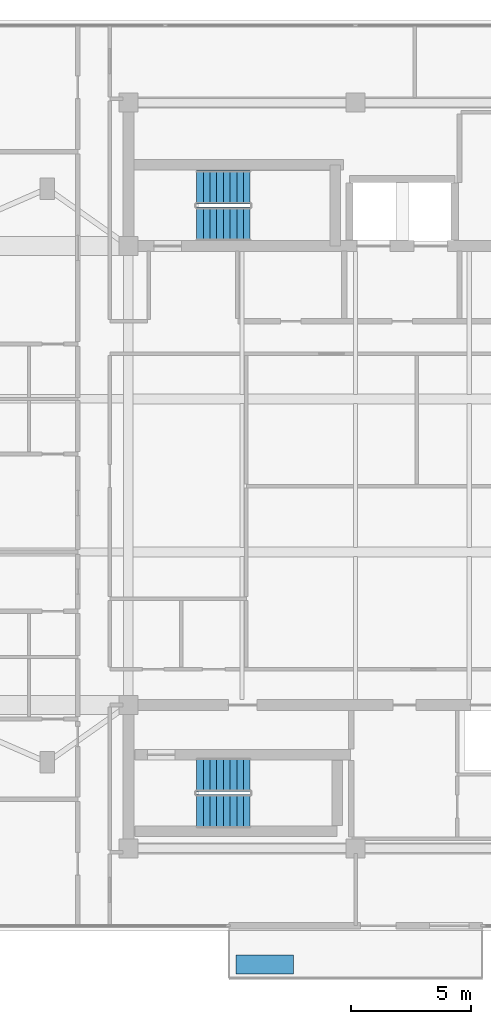
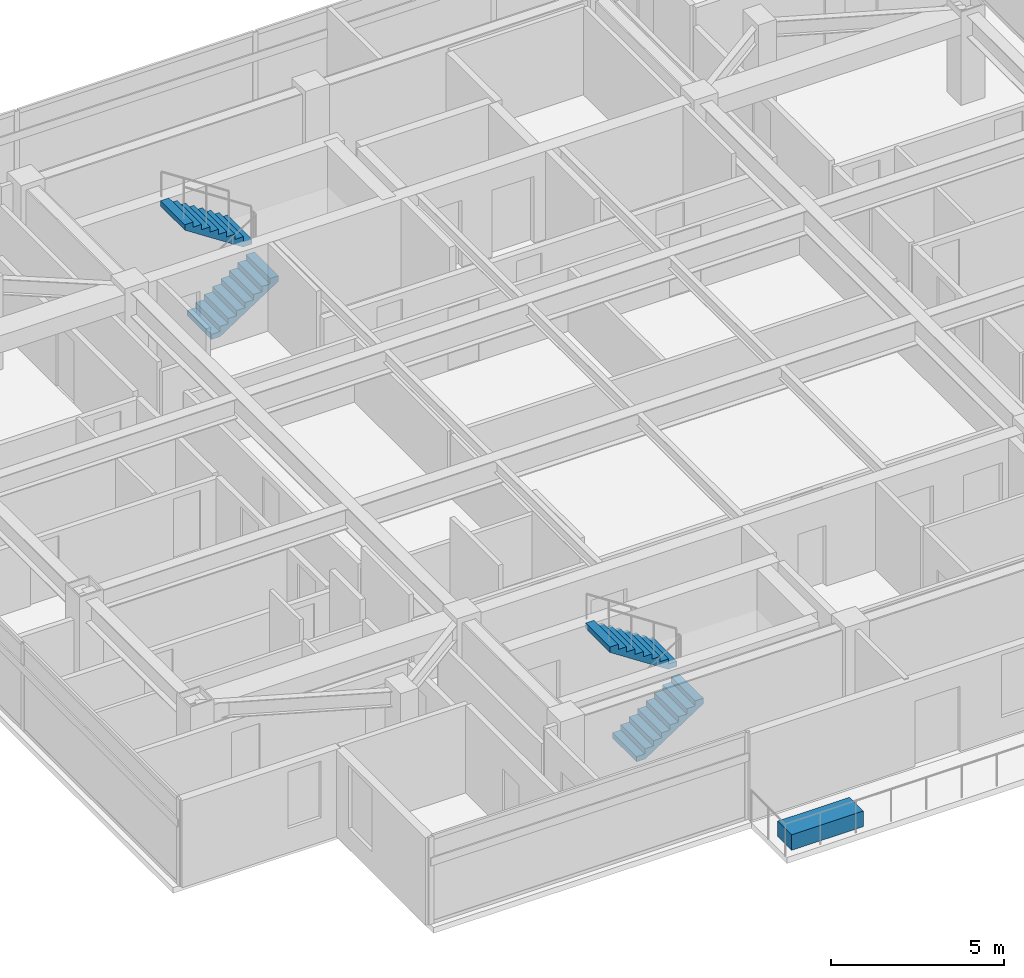
# One storey, part 11 of 14: 4 stair flights, 1 discrete accessory, 2 elements without a shape of their own.
"""IFC4 building model written with IfcOpenShell, lengths in metres."""

from ifc_helpers import new_model, si_unit, direction, frame, origin, origin_2d, place, context, subcontext, project, spatial, polyline, rectangle, outline, extrude, material, type_object, element, aggregate, save


model = new_model("IFC4")

# Units and contexts
model_context = context("Model", 3, precision=1e-05, world=origin(), true_north=direction((0.0, 1.0)))
body_context = subcontext(model_context, "Body", "Model", "MODEL_VIEW")
ifc_project = project(units=[si_unit("LENGTHUNIT", "METRE"), si_unit("AREAUNIT", "SQUARE_METRE"), si_unit("VOLUMEUNIT", "CUBIC_METRE"), si_unit("PLANEANGLEUNIT", "RADIAN"), si_unit("MASSUNIT", "GRAM", prefix="KILO")], contexts=[model_context])

# Site, building, storey
site_placement = place(None, origin())
site = spatial("IfcSite", under=ifc_project, at=site_placement, CompositionType="ELEMENT")
building_placement = place(site_placement, origin())
building = spatial("IfcBuilding", under=site, at=building_placement, Name="Mirazonda Arch Towers", CompositionType="ELEMENT")
storey_placement = place(building_placement, frame((0.0, 0.0, 232.60009765625)))
storey = spatial("IfcBuildingStorey", under=building, at=storey_placement, Name="L66", CompositionType="ELEMENT", Elevation=232.60009765625)

# Stair, stair flights
ifc_material_1 = material(Name="Concrete C40/50", Category="concrete")
stair_type = type_object("IfcStairType", Name="STAIR-CORE-1400", PredefinedType="HALF_TURN_STAIR", material=ifc_material_1)
stair_1_placement = place(storey_placement, origin())
stair_1 = element("IfcStair", 1, at=stair_1_placement, inside=storey, type_object=stair_type, Name="L66 Protected Exit Stair ST-T1N", PredefinedType="HALF_TURN_STAIR")
stair_flight_type = type_object("IfcStairFlightType", Name="FLIGHT-1400", PredefinedType="STRAIGHT", material=ifc_material_1)
stair_flight_1_placement = place(storey_placement, frame((13.85009765625, 38.52001953125, 0.0), z_axis=(0.0, 0.0, 1.0), x_axis=(1.0, 0.0, 0.0)))
stair_flight_1 = element("IfcStairFlight", 2, at=stair_flight_1_placement, type_object=stair_flight_type, Name="ST-T1N flight 1", NumberOfRisers=9, NumberOfTreads=8, PredefinedType="STRAIGHT", RiserHeight=0.183333333, TreadLength=0.28, context=body_context, shape_type="SweptSolid", body=[
    extrude(outline(polyline([(0.0, 0.0), (0.0, 0.183349609375), (0.280029296875, 0.183349609375), (0.280029296875, 0.36669921875), (0.56005859375, 0.36669921875), (0.56005859375, 0.550048828125), (0.840087890625, 0.550048828125), (0.840087890625, 0.7333984375), (1.1201171875, 0.7333984375), (1.1201171875, 0.916748046875), (1.39990234375, 0.916748046875), (1.39990234375, 1.10009765625), (1.679931640625, 1.10009765625), (1.679931640625, 1.283447265625), (1.9599609375, 1.283447265625), (1.9599609375, 1.466552734375), (2.239990234375, 1.466552734375), (2.239990234375, 1.64990234375), (2.239990234375, 1.275634765625), (0.2919921875, 0.0), (0.0, 0.0)])), frame((0.0, 0.699951171875, 0.0), z_axis=(0.0, -1.0, 0.0), x_axis=(1.0, 0.0, 0.0)), (0.0, 0.0, 1.0), 1.39990234375),
])
stair_flight_2_placement = place(storey_placement, frame((16.090087890625, 40.06005859375, 1.64990234375), z_axis=(0.0, 0.0, 1.0), x_axis=(-1.0, 0.0, 0.0)))
stair_flight_2 = element("IfcStairFlight", 3, at=stair_flight_2_placement, type_object=stair_flight_type, Name="ST-T1N flight 2", NumberOfRisers=9, NumberOfTreads=8, PredefinedType="STRAIGHT", RiserHeight=0.183333333, TreadLength=0.28, context=body_context, shape_type="SweptSolid", body=[
    extrude(outline(polyline([(0.0, 0.0), (0.0, 0.183349609375), (0.280029296875, 0.183349609375), (0.280029296875, 0.36669921875), (0.56005859375, 0.36669921875), (0.56005859375, 0.550048828125), (0.840087890625, 0.550048828125), (0.840087890625, 0.7333984375), (1.1201171875, 0.7333984375), (1.1201171875, 0.916748046875), (1.39990234375, 0.916748046875), (1.39990234375, 1.10009765625), (1.679931640625, 1.10009765625), (1.679931640625, 1.283447265625), (1.9599609375, 1.283447265625), (1.9599609375, 1.466552734375), (2.239990234375, 1.466552734375), (2.239990234375, 1.64990234375), (2.239990234375, 1.275634765625), (0.2919921875, 0.0), (0.0, 0.0)])), frame((0.0, 0.699951171875, 0.0), z_axis=(0.0, -1.0, 0.0), x_axis=(1.0, 0.0, 0.0)), (0.0, 0.0, 1.0), 1.39990234375),
])
aggregate(stair_1, [stair_flight_1, stair_flight_2])

stair_2_placement = place(storey_placement, origin())
stair_2 = element("IfcStair", 4, at=stair_2_placement, inside=storey, type_object=stair_type, Name="L66 Protected Exit Stair ST-T1S", PredefinedType="HALF_TURN_STAIR")
stair_flight_3_placement = place(storey_placement, frame((13.85009765625, 13.949951171875, 0.0), z_axis=(0.0, 0.0, 1.0), x_axis=(1.0, 0.0, 0.0)))
stair_flight_3 = element("IfcStairFlight", 5, at=stair_flight_3_placement, type_object=stair_flight_type, Name="ST-T1S flight 1", NumberOfRisers=9, NumberOfTreads=8, PredefinedType="STRAIGHT", RiserHeight=0.183333333, TreadLength=0.28, context=body_context, shape_type="SweptSolid", body=[
    extrude(outline(polyline([(0.0, 0.0), (0.0, 0.183349609375), (0.280029296875, 0.183349609375), (0.280029296875, 0.36669921875), (0.56005859375, 0.36669921875), (0.56005859375, 0.550048828125), (0.840087890625, 0.550048828125), (0.840087890625, 0.7333984375), (1.1201171875, 0.7333984375), (1.1201171875, 0.916748046875), (1.39990234375, 0.916748046875), (1.39990234375, 1.10009765625), (1.679931640625, 1.10009765625), (1.679931640625, 1.283447265625), (1.9599609375, 1.283447265625), (1.9599609375, 1.466552734375), (2.239990234375, 1.466552734375), (2.239990234375, 1.64990234375), (2.239990234375, 1.275634765625), (0.2919921875, 0.0), (0.0, 0.0)])), frame((0.0, 0.699951171875, 0.0), z_axis=(0.0, -1.0, 0.0), x_axis=(1.0, 0.0, 0.0)), (0.0, 0.0, 1.0), 1.39990234375),
])
stair_flight_4_placement = place(storey_placement, frame((16.090087890625, 15.489990234375, 1.64990234375), z_axis=(0.0, 0.0, 1.0), x_axis=(-1.0, 0.0, 0.0)))
stair_flight_4 = element("IfcStairFlight", 6, at=stair_flight_4_placement, type_object=stair_flight_type, Name="ST-T1S flight 2", NumberOfRisers=9, NumberOfTreads=8, PredefinedType="STRAIGHT", RiserHeight=0.183333333, TreadLength=0.28, context=body_context, shape_type="SweptSolid", body=[
    extrude(outline(polyline([(0.0, 0.0), (0.0, 0.183349609375), (0.280029296875, 0.183349609375), (0.280029296875, 0.36669921875), (0.56005859375, 0.36669921875), (0.56005859375, 0.550048828125), (0.840087890625, 0.550048828125), (0.840087890625, 0.7333984375), (1.1201171875, 0.7333984375), (1.1201171875, 0.916748046875), (1.39990234375, 0.916748046875), (1.39990234375, 1.10009765625), (1.679931640625, 1.10009765625), (1.679931640625, 1.283447265625), (1.9599609375, 1.283447265625), (1.9599609375, 1.466552734375), (2.239990234375, 1.466552734375), (2.239990234375, 1.64990234375), (2.239990234375, 1.275634765625), (0.2919921875, 0.0), (0.0, 0.0)])), frame((0.0, 0.699951171875, 0.0), z_axis=(0.0, -1.0, 0.0), x_axis=(1.0, 0.0, 0.0)), (0.0, 0.0, 1.0), 1.39990234375),
])
aggregate(stair_2, [stair_flight_3, stair_flight_4])

# Discrete accessory
ifc_material_2 = material(Name="Kiln-Fired Architectural Terracotta", Category="masonry")
discrete_accessory_type = type_object("IfcDiscreteAccessoryType", Name="PLANTER-TERRA", PredefinedType="USERDEFINED", material=ifc_material_2)
discrete_accessory_placement = place(storey_placement, frame((16.699951171875, 7.548095703125, 0.0), z_axis=(0.0, 0.0, 1.0), x_axis=(1.0, 0.0, 0.0)))
element("IfcDiscreteAccessory", 7, at=discrete_accessory_placement, inside=storey, type_object=discrete_accessory_type, Name="L66 T1 Sky-Terrace Planter", ObjectType="PLANTER", PredefinedType="USERDEFINED", context=body_context, shape_type="SweptSolid", body=[
    extrude(rectangle(XDim=2.39990234375, YDim=0.800048828125, at=origin_2d()), origin(), (0.0, 0.0, 1.0), 0.550048828125),
])

save(model, "model.ifc")
